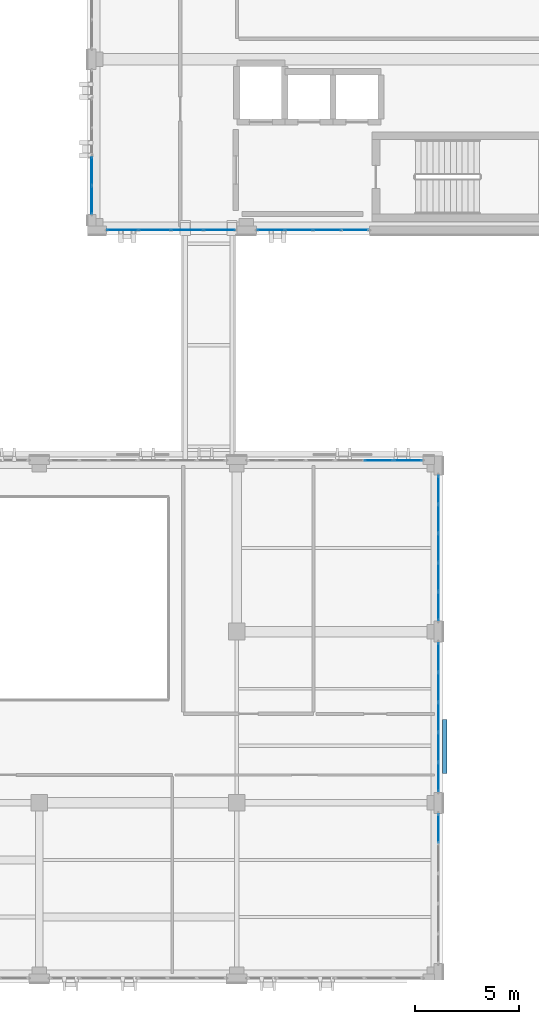
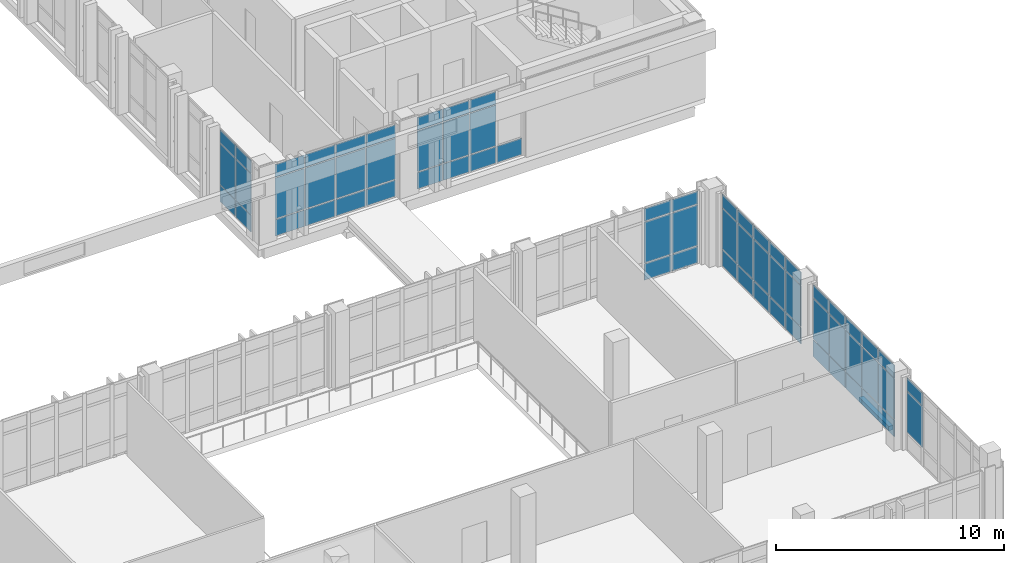
# One storey, part 118 of 158: 66 plates, 1 slab, 7 elements without a shape of their own.
"""IFC4 building model written with IfcOpenShell, lengths in metres."""

from ifc_helpers import new_model, si_unit, direction, frame, origin, origin_2d, place, context, subcontext, project, spatial, polyline, rectangle, outline, extrude, material, layer, layer_set, type_object, element, aggregate, save


model = new_model("IFC4")

# Units and contexts
model_context = context("Model", 3, precision=1e-05, world=origin(), true_north=direction((0.0, 1.0)))
body_context = subcontext(model_context, "Body", "Model", "MODEL_VIEW")
ifc_project = project(units=[si_unit("LENGTHUNIT", "METRE"), si_unit("AREAUNIT", "SQUARE_METRE"), si_unit("VOLUMEUNIT", "CUBIC_METRE"), si_unit("PLANEANGLEUNIT", "RADIAN"), si_unit("MASSUNIT", "GRAM", prefix="KILO")], contexts=[model_context])

# Site, building, storey
site_placement = place(None, origin())
site = spatial("IfcSite", under=ifc_project, at=site_placement, CompositionType="ELEMENT")
building_placement = place(site_placement, origin())
building = spatial("IfcBuilding", under=site, at=building_placement, Name="Qalavern Law Courts", CompositionType="ELEMENT")
storey_placement = place(building_placement, frame((0.0, 0.0, 18.60009765625)))
storey = spatial("IfcBuildingStorey", under=building, at=storey_placement, Name="L04", CompositionType="ELEMENT", Elevation=18.60009765625)

# Curtain wall, plates
ifc_material_1 = material(Name="Anodised aluminium and insulated glazing", Category="aluminium")
ifc_layer_1 = layer(ifc_material_1, 0.18505859375)
ifc_layer_set_1 = layer_set([ifc_layer_1], Name="Anodised aluminium and insulated glazing")
curtain_wall_type_1 = type_object("IfcCurtainWallType", Name="ENV-CW-HALL", PredefinedType="USERDEFINED", material=ifc_layer_set_1)
curtain_wall_1_placement = place(storey_placement, origin())
curtain_wall_1 = element("IfcCurtainWall", 1, at=curtain_wall_1_placement, inside=storey, type_object=curtain_wall_type_1, Name="V2 unitised curtain wall L04 east 1", ObjectType="UNITISED CURTAIN WALL", PredefinedType="USERDEFINED")
ifc_material_2 = material(Name="Insulated low-E acoustic glazing", Category="glass")
ifc_layer_2 = layer(ifc_material_2, 0.02392578125)
ifc_layer_set_2 = layer_set([ifc_layer_2], Name="Insulated low-E acoustic glazing")
plate_type_1 = type_object("IfcPlateType", Name="ENV-CWP-24", PredefinedType="CURTAIN_PANEL", material=ifc_layer_set_2)
plate_1_placement = place(storey_placement, frame((101.0, 12.568115234375, 0.97412109375), z_axis=(0.0, 0.0, 1.0), x_axis=(0.0, 1.0, 0.0)))
plate_1 = element("IfcPlate", 2, at=plate_1_placement, type_object=plate_type_1, Name="CW-02 panel 5.2", PredefinedType="CURTAIN_PANEL", context=body_context, shape_type="SweptSolid", body=[
    extrude(rectangle(XDim=1.367919921875, YDim=0.02392578125, at=origin_2d()), origin(), (0.0, 0.0, 1.0), 2.177001953125),
])
plate_2_placement = place(storey_placement, frame((101.0, 12.568115234375, 3.19873046875), z_axis=(0.0, 0.0, 1.0), x_axis=(0.0, 1.0, 0.0)))
plate_2 = element("IfcPlate", 3, at=plate_2_placement, type_object=plate_type_1, Name="CW-02 panel 5.3", PredefinedType="CURTAIN_PANEL", context=body_context, shape_type="SweptSolid", body=[
    extrude(rectangle(XDim=1.367919921875, YDim=0.02392578125, at=origin_2d()), origin(), (0.0, 0.0, 1.0), 0.677978515625),
])
aggregate(curtain_wall_1, [plate_1, plate_2])

curtain_wall_2_placement = place(storey_placement, origin())
curtain_wall_2 = element("IfcCurtainWall", 4, at=curtain_wall_2_placement, inside=storey, type_object=curtain_wall_type_1, Name="V2 unitised curtain wall L04 north 1", ObjectType="UNITISED CURTAIN WALL", PredefinedType="USERDEFINED")
plate_3_placement = place(storey_placement, frame((99.542236328125, 30.199951171875, 0.0478515625), z_axis=(0.0, 0.0, 1.0), x_axis=(-1.0, 0.0, 0.0)))
plate_3 = element("IfcPlate", 5, at=plate_3_placement, type_object=plate_type_1, Name="CW-02 panel 1.1", PredefinedType="CURTAIN_PANEL", context=body_context, shape_type="SweptSolid", body=[
    extrude(rectangle(XDim=1.32958984375, YDim=0.02392578125, at=origin_2d()), origin(), (0.0, 0.0, 1.0), 0.8779296875),
])
plate_4_placement = place(storey_placement, frame((99.542236328125, 30.199951171875, 0.97412109375), z_axis=(0.0, 0.0, 1.0), x_axis=(-1.0, 0.0, 0.0)))
plate_4 = element("IfcPlate", 6, at=plate_4_placement, type_object=plate_type_1, Name="CW-02 panel 1.2", PredefinedType="CURTAIN_PANEL", context=body_context, shape_type="SweptSolid", body=[
    extrude(rectangle(XDim=1.32958984375, YDim=0.02392578125, at=origin_2d()), origin(), (0.0, 0.0, 1.0), 2.177001953125),
])
plate_5_placement = place(storey_placement, frame((99.542236328125, 30.199951171875, 3.19873046875), z_axis=(0.0, 0.0, 1.0), x_axis=(-1.0, 0.0, 0.0)))
plate_5 = element("IfcPlate", 7, at=plate_5_placement, type_object=plate_type_1, Name="CW-02 panel 1.3", PredefinedType="CURTAIN_PANEL", context=body_context, shape_type="SweptSolid", body=[
    extrude(rectangle(XDim=1.32958984375, YDim=0.02392578125, at=origin_2d()), origin(), (0.0, 0.0, 1.0), 0.677978515625),
])
plate_6_placement = place(storey_placement, frame((98.152587890625, 30.199951171875, 0.0478515625), z_axis=(0.0, 0.0, 1.0), x_axis=(-1.0, 0.0, 0.0)))
plate_6 = element("IfcPlate", 8, at=plate_6_placement, type_object=plate_type_1, Name="CW-02 panel 2.1", PredefinedType="CURTAIN_PANEL", context=body_context, shape_type="SweptSolid", body=[
    extrude(rectangle(XDim=1.353515625, YDim=0.02392578125, at=origin_2d()), origin(), (0.0, 0.0, 1.0), 0.8779296875),
])
plate_7_placement = place(storey_placement, frame((98.152587890625, 30.199951171875, 0.97412109375), z_axis=(0.0, 0.0, 1.0), x_axis=(-1.0, 0.0, 0.0)))
plate_7 = element("IfcPlate", 9, at=plate_7_placement, type_object=plate_type_1, Name="CW-02 panel 2.2", PredefinedType="CURTAIN_PANEL", context=body_context, shape_type="SweptSolid", body=[
    extrude(rectangle(XDim=1.353515625, YDim=0.02392578125, at=origin_2d()), origin(), (0.0, 0.0, 1.0), 2.177001953125),
])
plate_8_placement = place(storey_placement, frame((98.152587890625, 30.199951171875, 3.19873046875), z_axis=(0.0, 0.0, 1.0), x_axis=(-1.0, 0.0, 0.0)))
plate_8 = element("IfcPlate", 10, at=plate_8_placement, type_object=plate_type_1, Name="CW-02 panel 2.3", PredefinedType="CURTAIN_PANEL", context=body_context, shape_type="SweptSolid", body=[
    extrude(rectangle(XDim=1.353515625, YDim=0.02392578125, at=origin_2d()), origin(), (0.0, 0.0, 1.0), 0.677978515625),
])
aggregate(curtain_wall_2, [plate_3, plate_4, plate_5, plate_6, plate_7, plate_8])

ifc_layer_3 = layer(ifc_material_1, 0.159912109375)
ifc_layer_set_3 = layer_set([ifc_layer_3], Name="Anodised aluminium and insulated glazing")
curtain_wall_type_2 = type_object("IfcCurtainWallType", Name="ENV-CW-CHAMB", PredefinedType="USERDEFINED", material=ifc_layer_set_3)
curtain_wall_3_placement = place(storey_placement, origin())
curtain_wall_3 = element("IfcCurtainWall", 11, at=curtain_wall_3_placement, inside=storey, type_object=curtain_wall_type_2, Name="V4 unitised curtain wall L04 south 1", ObjectType="UNITISED CURTAIN WALL", PredefinedType="USERDEFINED")
plate_9_placement = place(storey_placement, frame((85.886962890625, 41.219970703125, 0.0478515625), z_axis=(0.0, 0.0, 1.0), x_axis=(1.0, 0.0, 0.0)))
plate_9 = element("IfcPlate", 12, at=plate_9_placement, type_object=plate_type_1, Name="CW-04 panel 1.1", PredefinedType="CURTAIN_PANEL", context=body_context, shape_type="SweptSolid", body=[
    extrude(rectangle(XDim=1.47802734375, YDim=0.02392578125, at=origin_2d()), origin(), (0.0, 0.0, 1.0), 0.8779296875),
])
plate_10_placement = place(storey_placement, frame((85.886962890625, 41.219970703125, 0.97412109375), z_axis=(0.0, 0.0, 1.0), x_axis=(1.0, 0.0, 0.0)))
plate_10 = element("IfcPlate", 13, at=plate_10_placement, type_object=plate_type_1, Name="CW-04 panel 1.2", PredefinedType="CURTAIN_PANEL", context=body_context, shape_type="SweptSolid", body=[
    extrude(rectangle(XDim=1.47802734375, YDim=0.02392578125, at=origin_2d()), origin(), (0.0, 0.0, 1.0), 2.177001953125),
])
plate_11_placement = place(storey_placement, frame((85.886962890625, 41.219970703125, 3.19873046875), z_axis=(0.0, 0.0, 1.0), x_axis=(1.0, 0.0, 0.0)))
plate_11 = element("IfcPlate", 14, at=plate_11_placement, type_object=plate_type_1, Name="CW-04 panel 1.3", PredefinedType="CURTAIN_PANEL", context=body_context, shape_type="SweptSolid", body=[
    extrude(rectangle(XDim=1.47802734375, YDim=0.02392578125, at=origin_2d()), origin(), (0.0, 0.0, 1.0), 0.677978515625),
])
plate_12_placement = place(storey_placement, frame((87.425048828125, 41.219970703125, 0.0478515625), z_axis=(0.0, 0.0, 1.0), x_axis=(1.0, 0.0, 0.0)))
plate_12 = element("IfcPlate", 15, at=plate_12_placement, type_object=plate_type_1, Name="CW-04 panel 2.1", PredefinedType="CURTAIN_PANEL", context=body_context, shape_type="SweptSolid", body=[
    extrude(rectangle(XDim=1.501953125, YDim=0.02392578125, at=origin_2d()), origin(), (0.0, 0.0, 1.0), 0.8779296875),
])
plate_13_placement = place(storey_placement, frame((87.425048828125, 41.219970703125, 0.97412109375), z_axis=(0.0, 0.0, 1.0), x_axis=(1.0, 0.0, 0.0)))
plate_13 = element("IfcPlate", 16, at=plate_13_placement, type_object=plate_type_1, Name="CW-04 panel 2.2", PredefinedType="CURTAIN_PANEL", context=body_context, shape_type="SweptSolid", body=[
    extrude(rectangle(XDim=1.501953125, YDim=0.02392578125, at=origin_2d()), origin(), (0.0, 0.0, 1.0), 2.177001953125),
])
plate_14_placement = place(storey_placement, frame((87.425048828125, 41.219970703125, 3.19873046875), z_axis=(0.0, 0.0, 1.0), x_axis=(1.0, 0.0, 0.0)))
plate_14 = element("IfcPlate", 17, at=plate_14_placement, type_object=plate_type_1, Name="CW-04 panel 2.3", PredefinedType="CURTAIN_PANEL", context=body_context, shape_type="SweptSolid", body=[
    extrude(rectangle(XDim=1.501953125, YDim=0.02392578125, at=origin_2d()), origin(), (0.0, 0.0, 1.0), 0.677978515625),
])
plate_15_placement = place(storey_placement, frame((88.97509765625, 41.219970703125, 0.0478515625), z_axis=(0.0, 0.0, 1.0), x_axis=(1.0, 0.0, 0.0)))
plate_15 = element("IfcPlate", 18, at=plate_15_placement, type_object=plate_type_1, Name="CW-04 panel 3.1", PredefinedType="CURTAIN_PANEL", context=body_context, shape_type="SweptSolid", body=[
    extrude(rectangle(XDim=1.501953125, YDim=0.02392578125, at=origin_2d()), origin(), (0.0, 0.0, 1.0), 0.8779296875),
])
plate_16_placement = place(storey_placement, frame((88.97509765625, 41.219970703125, 0.97412109375), z_axis=(0.0, 0.0, 1.0), x_axis=(1.0, 0.0, 0.0)))
plate_16 = element("IfcPlate", 19, at=plate_16_placement, type_object=plate_type_1, Name="CW-04 panel 3.2", PredefinedType="CURTAIN_PANEL", context=body_context, shape_type="SweptSolid", body=[
    extrude(rectangle(XDim=1.501953125, YDim=0.02392578125, at=origin_2d()), origin(), (0.0, 0.0, 1.0), 2.177001953125),
])
plate_17_placement = place(storey_placement, frame((88.97509765625, 41.219970703125, 3.19873046875), z_axis=(0.0, 0.0, 1.0), x_axis=(1.0, 0.0, 0.0)))
plate_17 = element("IfcPlate", 20, at=plate_17_placement, type_object=plate_type_1, Name="CW-04 panel 3.3", PredefinedType="CURTAIN_PANEL", context=body_context, shape_type="SweptSolid", body=[
    extrude(rectangle(XDim=1.501953125, YDim=0.02392578125, at=origin_2d()), origin(), (0.0, 0.0, 1.0), 0.677978515625),
])
plate_18_placement = place(storey_placement, frame((90.512939453125, 41.219970703125, 0.0478515625), z_axis=(0.0, 0.0, 1.0), x_axis=(1.0, 0.0, 0.0)))
plate_18 = element("IfcPlate", 21, at=plate_18_placement, type_object=plate_type_1, Name="CW-04 panel 4.1", PredefinedType="CURTAIN_PANEL", context=body_context, shape_type="SweptSolid", body=[
    extrude(rectangle(XDim=1.47802734375, YDim=0.02392578125, at=origin_2d()), origin(), (0.0, 0.0, 1.0), 0.8779296875),
])
plate_19_placement = place(storey_placement, frame((90.512939453125, 41.219970703125, 0.97412109375), z_axis=(0.0, 0.0, 1.0), x_axis=(1.0, 0.0, 0.0)))
plate_19 = element("IfcPlate", 22, at=plate_19_placement, type_object=plate_type_1, Name="CW-04 panel 4.2", PredefinedType="CURTAIN_PANEL", context=body_context, shape_type="SweptSolid", body=[
    extrude(rectangle(XDim=1.47802734375, YDim=0.02392578125, at=origin_2d()), origin(), (0.0, 0.0, 1.0), 2.177001953125),
])
plate_20_placement = place(storey_placement, frame((90.512939453125, 41.219970703125, 3.19873046875), z_axis=(0.0, 0.0, 1.0), x_axis=(1.0, 0.0, 0.0)))
plate_20 = element("IfcPlate", 23, at=plate_20_placement, type_object=plate_type_1, Name="CW-04 panel 4.3", PredefinedType="CURTAIN_PANEL", context=body_context, shape_type="SweptSolid", body=[
    extrude(rectangle(XDim=1.47802734375, YDim=0.02392578125, at=origin_2d()), origin(), (0.0, 0.0, 1.0), 0.677978515625),
])
aggregate(curtain_wall_3, [plate_9, plate_10, plate_11, plate_12, plate_13, plate_14, plate_15, plate_16, plate_17, plate_18, plate_19, plate_20])

curtain_wall_4_placement = place(storey_placement, origin())
curtain_wall_4 = element("IfcCurtainWall", 24, at=curtain_wall_4_placement, inside=storey, type_object=curtain_wall_type_1, Name="V2 unitised curtain wall L04 east 2", ObjectType="UNITISED CURTAIN WALL", PredefinedType="USERDEFINED")
ifc_layer_4 = layer(ifc_material_2, 0.028076171875)
ifc_layer_set_4 = layer_set([ifc_layer_4], Name="Insulated low-E acoustic glazing")
plate_type_2 = type_object("IfcPlateType", Name="ENV-CWP-28", PredefinedType="CURTAIN_PANEL", material=ifc_layer_set_4)
plate_21_placement = place(storey_placement, frame((101.0, 15.031982421875, 0.0478515625), z_axis=(0.0, 0.0, 1.0), x_axis=(0.0, 1.0, 0.0)))
plate_21 = element("IfcPlate", 25, at=plate_21_placement, type_object=plate_type_2, Name="CW-02 panel 1.1", PredefinedType="CURTAIN_PANEL", context=body_context, shape_type="SweptSolid", body=[
    extrude(rectangle(XDim=1.367919921875, YDim=0.028076171875, at=origin_2d()), origin(), (0.0, 0.0, 1.0), 0.8779296875),
])
plate_22_placement = place(storey_placement, frame((101.0, 15.031982421875, 0.97412109375), z_axis=(0.0, 0.0, 1.0), x_axis=(0.0, 1.0, 0.0)))
plate_22 = element("IfcPlate", 26, at=plate_22_placement, type_object=plate_type_2, Name="CW-02 panel 1.2", PredefinedType="CURTAIN_PANEL", context=body_context, shape_type="SweptSolid", body=[
    extrude(rectangle(XDim=1.367919921875, YDim=0.028076171875, at=origin_2d()), origin(), (0.0, 0.0, 1.0), 2.177001953125),
])
plate_23_placement = place(storey_placement, frame((101.0, 15.031982421875, 3.19873046875), z_axis=(0.0, 0.0, 1.0), x_axis=(0.0, 1.0, 0.0)))
plate_23 = element("IfcPlate", 27, at=plate_23_placement, type_object=plate_type_2, Name="CW-02 panel 1.3", PredefinedType="CURTAIN_PANEL", context=body_context, shape_type="SweptSolid", body=[
    extrude(rectangle(XDim=1.367919921875, YDim=0.028076171875, at=origin_2d()), origin(), (0.0, 0.0, 1.0), 0.677978515625),
])
plate_24_placement = place(storey_placement, frame((101.0, 16.4599609375, 0.0478515625), z_axis=(0.0, 0.0, 1.0), x_axis=(0.0, 1.0, 0.0)))
plate_24 = element("IfcPlate", 28, at=plate_24_placement, type_object=plate_type_2, Name="CW-02 panel 2.1", PredefinedType="CURTAIN_PANEL", context=body_context, shape_type="SweptSolid", body=[
    extrude(rectangle(XDim=1.39208984375, YDim=0.028076171875, at=origin_2d()), origin(), (0.0, 0.0, 1.0), 0.8779296875),
])
plate_25_placement = place(storey_placement, frame((101.0, 16.4599609375, 0.97412109375), z_axis=(0.0, 0.0, 1.0), x_axis=(0.0, 1.0, 0.0)))
plate_25 = element("IfcPlate", 29, at=plate_25_placement, type_object=plate_type_2, Name="CW-02 panel 2.2", PredefinedType="CURTAIN_PANEL", context=body_context, shape_type="SweptSolid", body=[
    extrude(rectangle(XDim=1.39208984375, YDim=0.028076171875, at=origin_2d()), origin(), (0.0, 0.0, 1.0), 2.177001953125),
])
plate_26_placement = place(storey_placement, frame((101.0, 16.4599609375, 3.19873046875), z_axis=(0.0, 0.0, 1.0), x_axis=(0.0, 1.0, 0.0)))
plate_26 = element("IfcPlate", 30, at=plate_26_placement, type_object=plate_type_2, Name="CW-02 panel 2.3", PredefinedType="CURTAIN_PANEL", context=body_context, shape_type="SweptSolid", body=[
    extrude(rectangle(XDim=1.39208984375, YDim=0.028076171875, at=origin_2d()), origin(), (0.0, 0.0, 1.0), 0.677978515625),
])
plate_27_placement = place(storey_placement, frame((101.0, 17.89990234375, 0.0478515625), z_axis=(0.0, 0.0, 1.0), x_axis=(0.0, 1.0, 0.0)))
plate_27 = element("IfcPlate", 31, at=plate_27_placement, type_object=plate_type_2, Name="CW-02 panel 3.1", PredefinedType="CURTAIN_PANEL", context=body_context, shape_type="SweptSolid", body=[
    extrude(rectangle(XDim=1.39208984375, YDim=0.028076171875, at=origin_2d()), origin(), (0.0, 0.0, 1.0), 0.8779296875),
])
plate_28_placement = place(storey_placement, frame((101.0, 17.89990234375, 0.97412109375), z_axis=(0.0, 0.0, 1.0), x_axis=(0.0, 1.0, 0.0)))
plate_28 = element("IfcPlate", 32, at=plate_28_placement, type_object=plate_type_2, Name="CW-02 panel 3.2", PredefinedType="CURTAIN_PANEL", context=body_context, shape_type="SweptSolid", body=[
    extrude(rectangle(XDim=1.39208984375, YDim=0.028076171875, at=origin_2d()), origin(), (0.0, 0.0, 1.0), 2.177001953125),
])
plate_29_placement = place(storey_placement, frame((101.0, 17.89990234375, 3.19873046875), z_axis=(0.0, 0.0, 1.0), x_axis=(0.0, 1.0, 0.0)))
plate_29 = element("IfcPlate", 33, at=plate_29_placement, type_object=plate_type_2, Name="CW-02 panel 3.3", PredefinedType="CURTAIN_PANEL", context=body_context, shape_type="SweptSolid", body=[
    extrude(rectangle(XDim=1.39208984375, YDim=0.028076171875, at=origin_2d()), origin(), (0.0, 0.0, 1.0), 0.677978515625),
])
plate_30_placement = place(storey_placement, frame((101.0, 19.340087890625, 0.0478515625), z_axis=(0.0, 0.0, 1.0), x_axis=(0.0, 1.0, 0.0)))
plate_30 = element("IfcPlate", 34, at=plate_30_placement, type_object=plate_type_2, Name="CW-02 panel 4.1", PredefinedType="CURTAIN_PANEL", context=body_context, shape_type="SweptSolid", body=[
    extrude(rectangle(XDim=1.39208984375, YDim=0.028076171875, at=origin_2d()), origin(), (0.0, 0.0, 1.0), 0.8779296875),
])
plate_31_placement = place(storey_placement, frame((101.0, 19.340087890625, 0.97412109375), z_axis=(0.0, 0.0, 1.0), x_axis=(0.0, 1.0, 0.0)))
plate_31 = element("IfcPlate", 35, at=plate_31_placement, type_object=plate_type_2, Name="CW-02 panel 4.2", PredefinedType="CURTAIN_PANEL", context=body_context, shape_type="SweptSolid", body=[
    extrude(rectangle(XDim=1.39208984375, YDim=0.028076171875, at=origin_2d()), origin(), (0.0, 0.0, 1.0), 2.177001953125),
])
plate_32_placement = place(storey_placement, frame((101.0, 19.340087890625, 3.19873046875), z_axis=(0.0, 0.0, 1.0), x_axis=(0.0, 1.0, 0.0)))
plate_32 = element("IfcPlate", 36, at=plate_32_placement, type_object=plate_type_2, Name="CW-02 panel 4.3", PredefinedType="CURTAIN_PANEL", context=body_context, shape_type="SweptSolid", body=[
    extrude(rectangle(XDim=1.39208984375, YDim=0.028076171875, at=origin_2d()), origin(), (0.0, 0.0, 1.0), 0.677978515625),
])
plate_33_placement = place(storey_placement, frame((101.0, 20.76806640625, 0.0478515625), z_axis=(0.0, 0.0, 1.0), x_axis=(0.0, 1.0, 0.0)))
plate_33 = element("IfcPlate", 37, at=plate_33_placement, type_object=plate_type_2, Name="CW-02 panel 5.1", PredefinedType="CURTAIN_PANEL", context=body_context, shape_type="SweptSolid", body=[
    extrude(rectangle(XDim=1.367919921875, YDim=0.028076171875, at=origin_2d()), origin(), (0.0, 0.0, 1.0), 0.8779296875),
])
plate_34_placement = place(storey_placement, frame((101.0, 20.76806640625, 0.97412109375), z_axis=(0.0, 0.0, 1.0), x_axis=(0.0, 1.0, 0.0)))
plate_34 = element("IfcPlate", 38, at=plate_34_placement, type_object=plate_type_2, Name="CW-02 panel 5.2", PredefinedType="CURTAIN_PANEL", context=body_context, shape_type="SweptSolid", body=[
    extrude(rectangle(XDim=1.367919921875, YDim=0.028076171875, at=origin_2d()), origin(), (0.0, 0.0, 1.0), 2.177001953125),
])
plate_35_placement = place(storey_placement, frame((101.0, 20.76806640625, 3.19873046875), z_axis=(0.0, 0.0, 1.0), x_axis=(0.0, 1.0, 0.0)))
plate_35 = element("IfcPlate", 39, at=plate_35_placement, type_object=plate_type_2, Name="CW-02 panel 5.3", PredefinedType="CURTAIN_PANEL", context=body_context, shape_type="SweptSolid", body=[
    extrude(rectangle(XDim=1.367919921875, YDim=0.028076171875, at=origin_2d()), origin(), (0.0, 0.0, 1.0), 0.677978515625),
])
aggregate(curtain_wall_4, [plate_21, plate_22, plate_23, plate_24, plate_25, plate_26, plate_27, plate_28, plate_29, plate_30, plate_31, plate_32, plate_33, plate_34, plate_35])

curtain_wall_5_placement = place(storey_placement, origin())
curtain_wall_5 = element("IfcCurtainWall", 40, at=curtain_wall_5_placement, inside=storey, type_object=curtain_wall_type_2, Name="V4 unitised curtain wall L04 south 2", ObjectType="UNITISED CURTAIN WALL", PredefinedType="USERDEFINED")
plate_36_placement = place(storey_placement, frame((92.987060546875, 41.219970703125, 0.0478515625), z_axis=(0.0, 0.0, 1.0), x_axis=(1.0, 0.0, 0.0)))
plate_36 = element("IfcPlate", 41, at=plate_36_placement, type_object=plate_type_2, Name="CW-04 panel 1.1", PredefinedType="CURTAIN_PANEL", context=body_context, shape_type="SweptSolid", body=[
    extrude(rectangle(XDim=1.278076171875, YDim=0.028076171875, at=origin_2d()), origin(), (0.0, 0.0, 1.0), 0.8779296875),
])
plate_37_placement = place(storey_placement, frame((92.987060546875, 41.219970703125, 0.97412109375), z_axis=(0.0, 0.0, 1.0), x_axis=(1.0, 0.0, 0.0)))
plate_37 = element("IfcPlate", 42, at=plate_37_placement, type_object=plate_type_2, Name="CW-04 panel 1.2", PredefinedType="CURTAIN_PANEL", context=body_context, shape_type="SweptSolid", body=[
    extrude(rectangle(XDim=1.278076171875, YDim=0.028076171875, at=origin_2d()), origin(), (0.0, 0.0, 1.0), 2.177001953125),
])
plate_38_placement = place(storey_placement, frame((92.987060546875, 41.219970703125, 3.19873046875), z_axis=(0.0, 0.0, 1.0), x_axis=(1.0, 0.0, 0.0)))
plate_38 = element("IfcPlate", 43, at=plate_38_placement, type_object=plate_type_2, Name="CW-04 panel 1.3", PredefinedType="CURTAIN_PANEL", context=body_context, shape_type="SweptSolid", body=[
    extrude(rectangle(XDim=1.278076171875, YDim=0.028076171875, at=origin_2d()), origin(), (0.0, 0.0, 1.0), 0.677978515625),
])
plate_39_placement = place(storey_placement, frame((94.324951171875, 41.219970703125, 0.0478515625), z_axis=(0.0, 0.0, 1.0), x_axis=(1.0, 0.0, 0.0)))
plate_39 = element("IfcPlate", 44, at=plate_39_placement, type_object=plate_type_2, Name="CW-04 panel 2.1", PredefinedType="CURTAIN_PANEL", context=body_context, shape_type="SweptSolid", body=[
    extrude(rectangle(XDim=1.302001953125, YDim=0.028076171875, at=origin_2d()), origin(), (0.0, 0.0, 1.0), 0.8779296875),
])
plate_40_placement = place(storey_placement, frame((94.324951171875, 41.219970703125, 0.97412109375), z_axis=(0.0, 0.0, 1.0), x_axis=(1.0, 0.0, 0.0)))
plate_40 = element("IfcPlate", 45, at=plate_40_placement, type_object=plate_type_2, Name="CW-04 panel 2.2", PredefinedType="CURTAIN_PANEL", context=body_context, shape_type="SweptSolid", body=[
    extrude(rectangle(XDim=1.302001953125, YDim=0.028076171875, at=origin_2d()), origin(), (0.0, 0.0, 1.0), 2.177001953125),
])
plate_41_placement = place(storey_placement, frame((94.324951171875, 41.219970703125, 3.19873046875), z_axis=(0.0, 0.0, 1.0), x_axis=(1.0, 0.0, 0.0)))
plate_41 = element("IfcPlate", 46, at=plate_41_placement, type_object=plate_type_2, Name="CW-04 panel 2.3", PredefinedType="CURTAIN_PANEL", context=body_context, shape_type="SweptSolid", body=[
    extrude(rectangle(XDim=1.302001953125, YDim=0.028076171875, at=origin_2d()), origin(), (0.0, 0.0, 1.0), 0.677978515625),
])
plate_42_placement = place(storey_placement, frame((95.675048828125, 41.219970703125, 0.0478515625), z_axis=(0.0, 0.0, 1.0), x_axis=(1.0, 0.0, 0.0)))
plate_42 = element("IfcPlate", 47, at=plate_42_placement, type_object=plate_type_2, Name="CW-04 panel 3.1", PredefinedType="CURTAIN_PANEL", context=body_context, shape_type="SweptSolid", body=[
    extrude(rectangle(XDim=1.302001953125, YDim=0.028076171875, at=origin_2d()), origin(), (0.0, 0.0, 1.0), 0.8779296875),
])
plate_43_placement = place(storey_placement, frame((95.675048828125, 41.219970703125, 0.97412109375), z_axis=(0.0, 0.0, 1.0), x_axis=(1.0, 0.0, 0.0)))
plate_43 = element("IfcPlate", 48, at=plate_43_placement, type_object=plate_type_2, Name="CW-04 panel 3.2", PredefinedType="CURTAIN_PANEL", context=body_context, shape_type="SweptSolid", body=[
    extrude(rectangle(XDim=1.302001953125, YDim=0.028076171875, at=origin_2d()), origin(), (0.0, 0.0, 1.0), 2.177001953125),
])
plate_44_placement = place(storey_placement, frame((95.675048828125, 41.219970703125, 3.19873046875), z_axis=(0.0, 0.0, 1.0), x_axis=(1.0, 0.0, 0.0)))
plate_44 = element("IfcPlate", 49, at=plate_44_placement, type_object=plate_type_2, Name="CW-04 panel 3.3", PredefinedType="CURTAIN_PANEL", context=body_context, shape_type="SweptSolid", body=[
    extrude(rectangle(XDim=1.302001953125, YDim=0.028076171875, at=origin_2d()), origin(), (0.0, 0.0, 1.0), 0.677978515625),
])
plate_45_placement = place(storey_placement, frame((97.012939453125, 41.219970703125, 0.0478515625), z_axis=(0.0, 0.0, 1.0), x_axis=(1.0, 0.0, 0.0)))
plate_45 = element("IfcPlate", 50, at=plate_45_placement, type_object=plate_type_2, Name="CW-04 panel 4.1", PredefinedType="CURTAIN_PANEL", context=body_context, shape_type="SweptSolid", body=[
    extrude(rectangle(XDim=1.278076171875, YDim=0.028076171875, at=origin_2d()), origin(), (0.0, 0.0, 1.0), 0.8779296875),
])
aggregate(curtain_wall_5, [plate_36, plate_37, plate_38, plate_39, plate_40, plate_41, plate_42, plate_43, plate_44, plate_45])

curtain_wall_6_placement = place(storey_placement, origin())
curtain_wall_6 = element("IfcCurtainWall", 51, at=curtain_wall_6_placement, inside=storey, type_object=curtain_wall_type_1, Name="V2 unitised curtain wall L04 east 3", ObjectType="UNITISED CURTAIN WALL", PredefinedType="USERDEFINED")
ifc_layer_5 = layer(ifc_material_2, 0.031982421875)
ifc_layer_set_5 = layer_set([ifc_layer_5], Name="Insulated low-E acoustic glazing")
plate_type_3 = type_object("IfcPlateType", Name="ENV-CWP-32", PredefinedType="CURTAIN_PANEL", material=ifc_layer_set_5)
plate_46_placement = place(storey_placement, frame((101.0, 23.2119140625, 0.0478515625), z_axis=(0.0, 0.0, 1.0), x_axis=(0.0, 1.0, 0.0)))
plate_46 = element("IfcPlate", 52, at=plate_46_placement, type_object=plate_type_3, Name="CW-02 panel 1.1", PredefinedType="CURTAIN_PANEL", context=body_context, shape_type="SweptSolid", body=[
    extrude(rectangle(XDim=1.327880859375, YDim=0.031982421875, at=origin_2d()), origin(), (0.0, 0.0, 1.0), 0.8779296875),
])
plate_47_placement = place(storey_placement, frame((101.0, 23.2119140625, 0.97412109375), z_axis=(0.0, 0.0, 1.0), x_axis=(0.0, 1.0, 0.0)))
plate_47 = element("IfcPlate", 53, at=plate_47_placement, type_object=plate_type_3, Name="CW-02 panel 1.2", PredefinedType="CURTAIN_PANEL", context=body_context, shape_type="SweptSolid", body=[
    extrude(rectangle(XDim=1.327880859375, YDim=0.031982421875, at=origin_2d()), origin(), (0.0, 0.0, 1.0), 2.177001953125),
])
plate_48_placement = place(storey_placement, frame((101.0, 23.2119140625, 3.19873046875), z_axis=(0.0, 0.0, 1.0), x_axis=(0.0, 1.0, 0.0)))
plate_48 = element("IfcPlate", 54, at=plate_48_placement, type_object=plate_type_3, Name="CW-02 panel 1.3", PredefinedType="CURTAIN_PANEL", context=body_context, shape_type="SweptSolid", body=[
    extrude(rectangle(XDim=1.327880859375, YDim=0.031982421875, at=origin_2d()), origin(), (0.0, 0.0, 1.0), 0.677978515625),
])
plate_49_placement = place(storey_placement, frame((101.0, 24.60009765625, 0.0478515625), z_axis=(0.0, 0.0, 1.0), x_axis=(0.0, 1.0, 0.0)))
plate_49 = element("IfcPlate", 55, at=plate_49_placement, type_object=plate_type_3, Name="CW-02 panel 2.1", PredefinedType="CURTAIN_PANEL", context=body_context, shape_type="SweptSolid", body=[
    extrude(rectangle(XDim=1.35205078125, YDim=0.031982421875, at=origin_2d()), origin(), (0.0, 0.0, 1.0), 0.8779296875),
])
plate_50_placement = place(storey_placement, frame((101.0, 24.60009765625, 0.97412109375), z_axis=(0.0, 0.0, 1.0), x_axis=(0.0, 1.0, 0.0)))
plate_50 = element("IfcPlate", 56, at=plate_50_placement, type_object=plate_type_3, Name="CW-02 panel 2.2", PredefinedType="CURTAIN_PANEL", context=body_context, shape_type="SweptSolid", body=[
    extrude(rectangle(XDim=1.35205078125, YDim=0.031982421875, at=origin_2d()), origin(), (0.0, 0.0, 1.0), 2.177001953125),
])
plate_51_placement = place(storey_placement, frame((101.0, 24.60009765625, 3.19873046875), z_axis=(0.0, 0.0, 1.0), x_axis=(0.0, 1.0, 0.0)))
plate_51 = element("IfcPlate", 57, at=plate_51_placement, type_object=plate_type_3, Name="CW-02 panel 2.3", PredefinedType="CURTAIN_PANEL", context=body_context, shape_type="SweptSolid", body=[
    extrude(rectangle(XDim=1.35205078125, YDim=0.031982421875, at=origin_2d()), origin(), (0.0, 0.0, 1.0), 0.677978515625),
])
plate_52_placement = place(storey_placement, frame((101.0, 26.0, 0.0478515625), z_axis=(0.0, 0.0, 1.0), x_axis=(0.0, 1.0, 0.0)))
plate_52 = element("IfcPlate", 58, at=plate_52_placement, type_object=plate_type_3, Name="CW-02 panel 3.1", PredefinedType="CURTAIN_PANEL", context=body_context, shape_type="SweptSolid", body=[
    extrude(rectangle(XDim=1.35205078125, YDim=0.031982421875, at=origin_2d()), origin(), (0.0, 0.0, 1.0), 0.8779296875),
])
plate_53_placement = place(storey_placement, frame((101.0, 26.0, 0.97412109375), z_axis=(0.0, 0.0, 1.0), x_axis=(0.0, 1.0, 0.0)))
plate_53 = element("IfcPlate", 59, at=plate_53_placement, type_object=plate_type_3, Name="CW-02 panel 3.2", PredefinedType="CURTAIN_PANEL", context=body_context, shape_type="SweptSolid", body=[
    extrude(rectangle(XDim=1.35205078125, YDim=0.031982421875, at=origin_2d()), origin(), (0.0, 0.0, 1.0), 2.177001953125),
])
plate_54_placement = place(storey_placement, frame((101.0, 26.0, 3.19873046875), z_axis=(0.0, 0.0, 1.0), x_axis=(0.0, 1.0, 0.0)))
plate_54 = element("IfcPlate", 60, at=plate_54_placement, type_object=plate_type_3, Name="CW-02 panel 3.3", PredefinedType="CURTAIN_PANEL", context=body_context, shape_type="SweptSolid", body=[
    extrude(rectangle(XDim=1.35205078125, YDim=0.031982421875, at=origin_2d()), origin(), (0.0, 0.0, 1.0), 0.677978515625),
])
plate_55_placement = place(storey_placement, frame((101.0, 27.39990234375, 0.0478515625), z_axis=(0.0, 0.0, 1.0), x_axis=(0.0, 1.0, 0.0)))
plate_55 = element("IfcPlate", 61, at=plate_55_placement, type_object=plate_type_3, Name="CW-02 panel 4.1", PredefinedType="CURTAIN_PANEL", context=body_context, shape_type="SweptSolid", body=[
    extrude(rectangle(XDim=1.35205078125, YDim=0.031982421875, at=origin_2d()), origin(), (0.0, 0.0, 1.0), 0.8779296875),
])
plate_56_placement = place(storey_placement, frame((101.0, 27.39990234375, 0.97412109375), z_axis=(0.0, 0.0, 1.0), x_axis=(0.0, 1.0, 0.0)))
plate_56 = element("IfcPlate", 62, at=plate_56_placement, type_object=plate_type_3, Name="CW-02 panel 4.2", PredefinedType="CURTAIN_PANEL", context=body_context, shape_type="SweptSolid", body=[
    extrude(rectangle(XDim=1.35205078125, YDim=0.031982421875, at=origin_2d()), origin(), (0.0, 0.0, 1.0), 2.177001953125),
])
plate_57_placement = place(storey_placement, frame((101.0, 27.39990234375, 3.19873046875), z_axis=(0.0, 0.0, 1.0), x_axis=(0.0, 1.0, 0.0)))
plate_57 = element("IfcPlate", 63, at=plate_57_placement, type_object=plate_type_3, Name="CW-02 panel 4.3", PredefinedType="CURTAIN_PANEL", context=body_context, shape_type="SweptSolid", body=[
    extrude(rectangle(XDim=1.35205078125, YDim=0.031982421875, at=origin_2d()), origin(), (0.0, 0.0, 1.0), 0.677978515625),
])
plate_58_placement = place(storey_placement, frame((101.0, 28.7880859375, 0.0478515625), z_axis=(0.0, 0.0, 1.0), x_axis=(0.0, 1.0, 0.0)))
plate_58 = element("IfcPlate", 64, at=plate_58_placement, type_object=plate_type_3, Name="CW-02 panel 5.1", PredefinedType="CURTAIN_PANEL", context=body_context, shape_type="SweptSolid", body=[
    extrude(rectangle(XDim=1.327880859375, YDim=0.031982421875, at=origin_2d()), origin(), (0.0, 0.0, 1.0), 0.8779296875),
])
plate_59_placement = place(storey_placement, frame((101.0, 28.7880859375, 0.97412109375), z_axis=(0.0, 0.0, 1.0), x_axis=(0.0, 1.0, 0.0)))
plate_59 = element("IfcPlate", 65, at=plate_59_placement, type_object=plate_type_3, Name="CW-02 panel 5.2", PredefinedType="CURTAIN_PANEL", context=body_context, shape_type="SweptSolid", body=[
    extrude(rectangle(XDim=1.327880859375, YDim=0.031982421875, at=origin_2d()), origin(), (0.0, 0.0, 1.0), 2.177001953125),
])
plate_60_placement = place(storey_placement, frame((101.0, 28.7880859375, 3.19873046875), z_axis=(0.0, 0.0, 1.0), x_axis=(0.0, 1.0, 0.0)))
plate_60 = element("IfcPlate", 66, at=plate_60_placement, type_object=plate_type_3, Name="CW-02 panel 5.3", PredefinedType="CURTAIN_PANEL", context=body_context, shape_type="SweptSolid", body=[
    extrude(rectangle(XDim=1.327880859375, YDim=0.031982421875, at=origin_2d()), origin(), (0.0, 0.0, 1.0), 0.677978515625),
])
aggregate(curtain_wall_6, [plate_46, plate_47, plate_48, plate_49, plate_50, plate_51, plate_52, plate_53, plate_54, plate_55, plate_56, plate_57, plate_58, plate_59, plate_60])

curtain_wall_7_placement = place(storey_placement, origin())
curtain_wall_7 = element("IfcCurtainWall", 67, at=curtain_wall_7_placement, inside=storey, type_object=curtain_wall_type_2, Name="V4 unitised curtain wall L04 west 6", ObjectType="UNITISED CURTAIN WALL", PredefinedType="USERDEFINED")
ifc_layer_6 = layer(ifc_material_2, 0.0439453125)
ifc_layer_set_6 = layer_set([ifc_layer_6], Name="Insulated low-E acoustic glazing")
plate_type_4 = type_object("IfcPlateType", Name="ENV-CWP-44", PredefinedType="CURTAIN_PANEL", material=ifc_layer_set_6)
plate_61_placement = place(storey_placement, frame((84.39990234375, 44.04541015625, 0.0478515625), z_axis=(0.0, 0.0, 1.0), x_axis=(0.0, -1.0, 0.0)))
plate_61 = element("IfcPlate", 68, at=plate_61_placement, type_object=plate_type_4, Name="CW-04 panel 4.1", PredefinedType="CURTAIN_PANEL", context=body_context, shape_type="SweptSolid", body=[
    extrude(rectangle(XDim=1.339111328125, YDim=0.0439453125, at=origin_2d()), origin(), (0.0, 0.0, 1.0), 0.8779296875),
])
plate_62_placement = place(storey_placement, frame((84.39990234375, 44.04541015625, 0.97412109375), z_axis=(0.0, 0.0, 1.0), x_axis=(0.0, -1.0, 0.0)))
plate_62 = element("IfcPlate", 69, at=plate_62_placement, type_object=plate_type_4, Name="CW-04 panel 4.2", PredefinedType="CURTAIN_PANEL", context=body_context, shape_type="SweptSolid", body=[
    extrude(rectangle(XDim=1.339111328125, YDim=0.0439453125, at=origin_2d()), origin(), (0.0, 0.0, 1.0), 2.177001953125),
])
plate_63_placement = place(storey_placement, frame((84.39990234375, 44.04541015625, 3.19873046875), z_axis=(0.0, 0.0, 1.0), x_axis=(0.0, -1.0, 0.0)))
plate_63 = element("IfcPlate", 70, at=plate_63_placement, type_object=plate_type_4, Name="CW-04 panel 4.3", PredefinedType="CURTAIN_PANEL", context=body_context, shape_type="SweptSolid", body=[
    extrude(rectangle(XDim=1.339111328125, YDim=0.0439453125, at=origin_2d()), origin(), (0.0, 0.0, 1.0), 0.677978515625),
])
plate_64_placement = place(storey_placement, frame((84.39990234375, 42.67041015625, 0.0478515625), z_axis=(0.0, 0.0, 1.0), x_axis=(0.0, -1.0, 0.0)))
plate_64 = element("IfcPlate", 71, at=plate_64_placement, type_object=plate_type_4, Name="CW-04 panel 5.1", PredefinedType="CURTAIN_PANEL", context=body_context, shape_type="SweptSolid", body=[
    extrude(rectangle(XDim=1.31494140625, YDim=0.0439453125, at=origin_2d()), origin(), (0.0, 0.0, 1.0), 0.8779296875),
])
plate_65_placement = place(storey_placement, frame((84.39990234375, 42.67041015625, 0.97412109375), z_axis=(0.0, 0.0, 1.0), x_axis=(0.0, -1.0, 0.0)))
plate_65 = element("IfcPlate", 72, at=plate_65_placement, type_object=plate_type_4, Name="CW-04 panel 5.2", PredefinedType="CURTAIN_PANEL", context=body_context, shape_type="SweptSolid", body=[
    extrude(rectangle(XDim=1.31494140625, YDim=0.0439453125, at=origin_2d()), origin(), (0.0, 0.0, 1.0), 2.177001953125),
])
plate_66_placement = place(storey_placement, frame((84.39990234375, 42.67041015625, 3.19873046875), z_axis=(0.0, 0.0, 1.0), x_axis=(0.0, -1.0, 0.0)))
plate_66 = element("IfcPlate", 73, at=plate_66_placement, type_object=plate_type_4, Name="CW-04 panel 5.3", PredefinedType="CURTAIN_PANEL", context=body_context, shape_type="SweptSolid", body=[
    extrude(rectangle(XDim=1.31494140625, YDim=0.0439453125, at=origin_2d()), origin(), (0.0, 0.0, 1.0), 0.677978515625),
])
aggregate(curtain_wall_7, [plate_61, plate_62, plate_63, plate_64, plate_65, plate_66])

# Slab
ifc_material_3 = material(Name="Concrete C35/45", Category="concrete")
ifc_layer_7 = layer(ifc_material_3, 0.22802734375)
ifc_layer_set_7 = layer_set([ifc_layer_7], Name="Concrete C35/45")
slab_type = type_object("IfcSlabType", Name="STR-ROOF-FLAT228", PredefinedType="ROOF", material=ifc_layer_set_7)
slab_placement = place(storey_placement, frame((0.0, 0.0, -0.22802734375)))
element("IfcSlab", 74, at=slab_placement, inside=storey, type_object=slab_type, Name="Bridge V2-V6 vestibule roof cap", PredefinedType="ROOF", context=body_context, shape_type="SweptSolid", body=[
    extrude(outline(polyline([(101.199951171875, 15.199951171875), (101.419921875, 15.199951171875), (101.419921875, 17.800048828125), (101.199951171875, 17.800048828125), (101.199951171875, 15.199951171875)])), origin(), (0.0, 0.0, 1.0), 0.22802734375),
])

save(model, "model.ifc")
